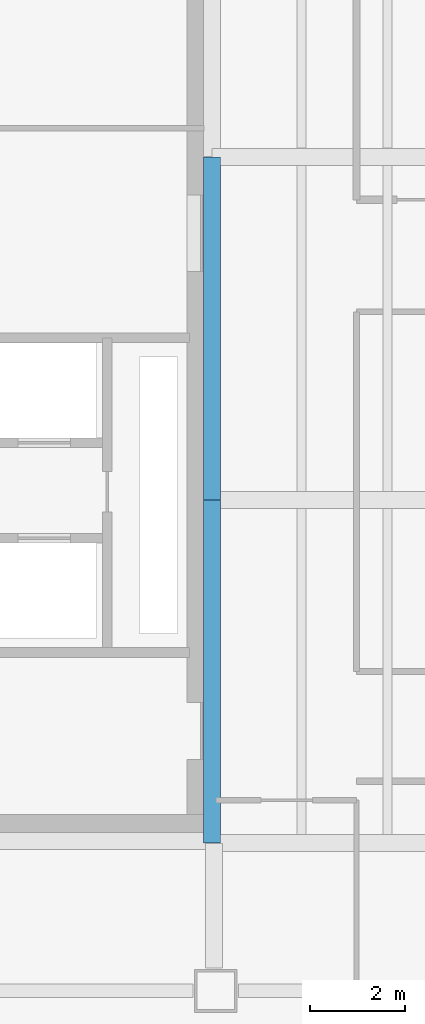
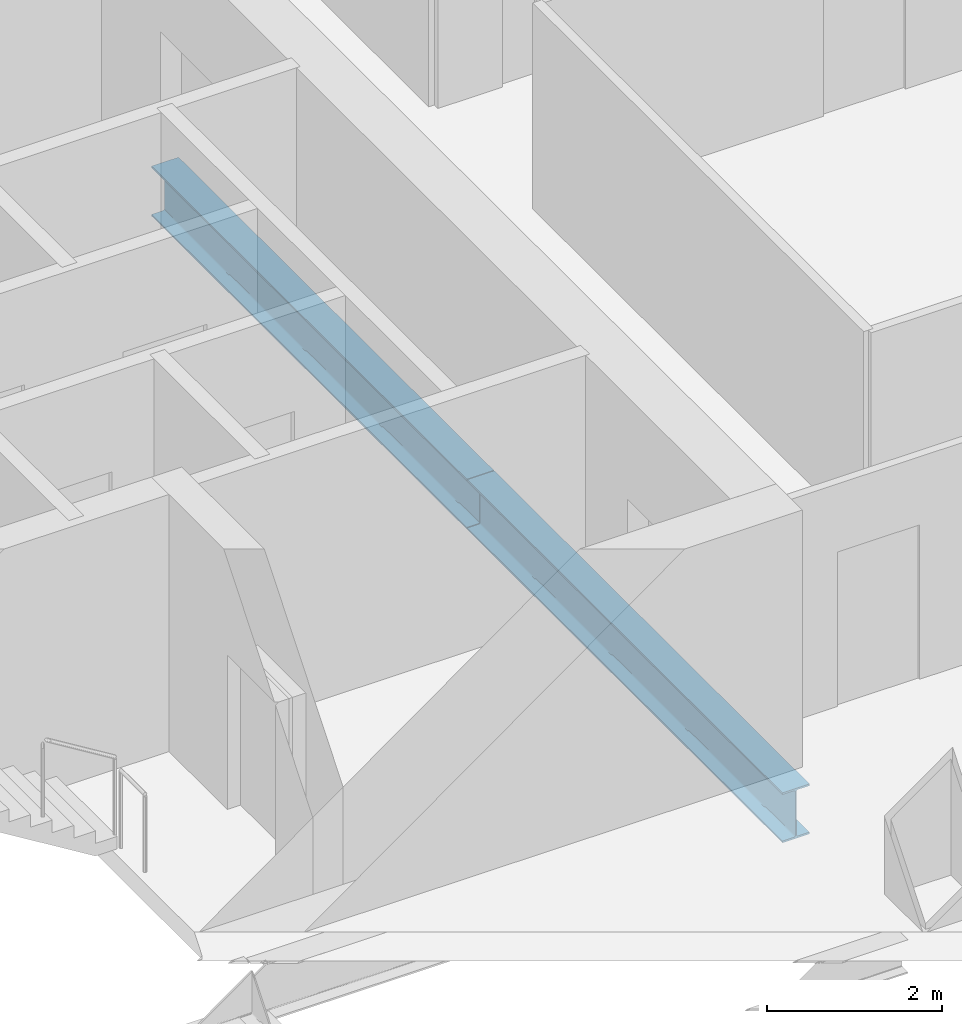
# One storey, part 3 of 23: 2 beams.
"""IFC4 building model written with IfcOpenShell, lengths in metres."""

from ifc_helpers import new_model, si_unit, direction, frame, origin, origin_2d, place, context, subcontext, project, spatial, i_section, extrude, material, material_profile, profile_set, type_object, element, save


model = new_model("IFC4")

# Units and contexts
model_context = context("Model", 3, precision=1e-05, world=origin(), true_north=direction((0.0, 1.0)))
body_context = subcontext(model_context, "Body", "Model", "MODEL_VIEW")
ifc_project = project(units=[si_unit("LENGTHUNIT", "METRE"), si_unit("AREAUNIT", "SQUARE_METRE"), si_unit("VOLUMEUNIT", "CUBIC_METRE"), si_unit("PLANEANGLEUNIT", "RADIAN"), si_unit("MASSUNIT", "GRAM", prefix="KILO")], contexts=[model_context])

# Site, building, storey
site_placement = place(None, origin())
site = spatial("IfcSite", under=ifc_project, at=site_placement, CompositionType="ELEMENT")
building_placement = place(site_placement, origin())
building = spatial("IfcBuilding", under=site, at=building_placement, Name="Cobrela Telecom Tower", CompositionType="ELEMENT")
storey_placement = place(building_placement, frame((0.0, 0.0, 117.60009765625)))
storey = spatial("IfcBuildingStorey", under=building, at=storey_placement, Name="L29", CompositionType="ELEMENT", Elevation=117.60009765625)

# Beams
ifc_material = material(Name="Steel ASTM A992 Grade 50", Category="steel")
ifc_material_profile = material_profile(ifc_material, i_section(OverallWidth=0.35595703125, OverallDepth=0.696044921875, WebThickness=0.015380859375, FlangeThickness=0.024658203125, FilletRadius=0.01806640625, at=origin_2d()), Name="W27X146")
ifc_profile_set = profile_set([ifc_material_profile], Name="Steel ASTM A992 Grade 50")
beam_type = type_object("IfcBeamType", Name="BM-GIRD-05", PredefinedType="USERDEFINED", material=ifc_profile_set)
for number, where, z_axis, x_axis, name in (
    (1, (14.320068359375, 7.205078125, -0.6181640625), (0.0, 1.0, 0.0), (-1.0, 0.0, 0.0), "L29 Primary Girder Y34"),
    (2, (14.320068359375, 14.405029296875, -0.6181640625), (0.0, 1.0, 0.0), (-1.0, 0.0, 0.0), "L29 Primary Girder Y35"),
):
    element("IfcBeam", number, at=place(storey_placement, frame(where, z_axis=z_axis, x_axis=x_axis)), inside=storey, type_object=beam_type, Name=name, ObjectType="GIRDER", PredefinedType="USERDEFINED", context=body_context, shape_type="SweptSolid", body=[
        extrude(i_section(OverallWidth=0.35595703125, OverallDepth=0.696044921875, WebThickness=0.015380859375, FlangeThickness=0.024658203125, FilletRadius=0.01806640625, at=origin_2d()), origin(), (0.0, 0.0, 1.0), 7.18994140625),
    ])

save(model, "model.ifc")
